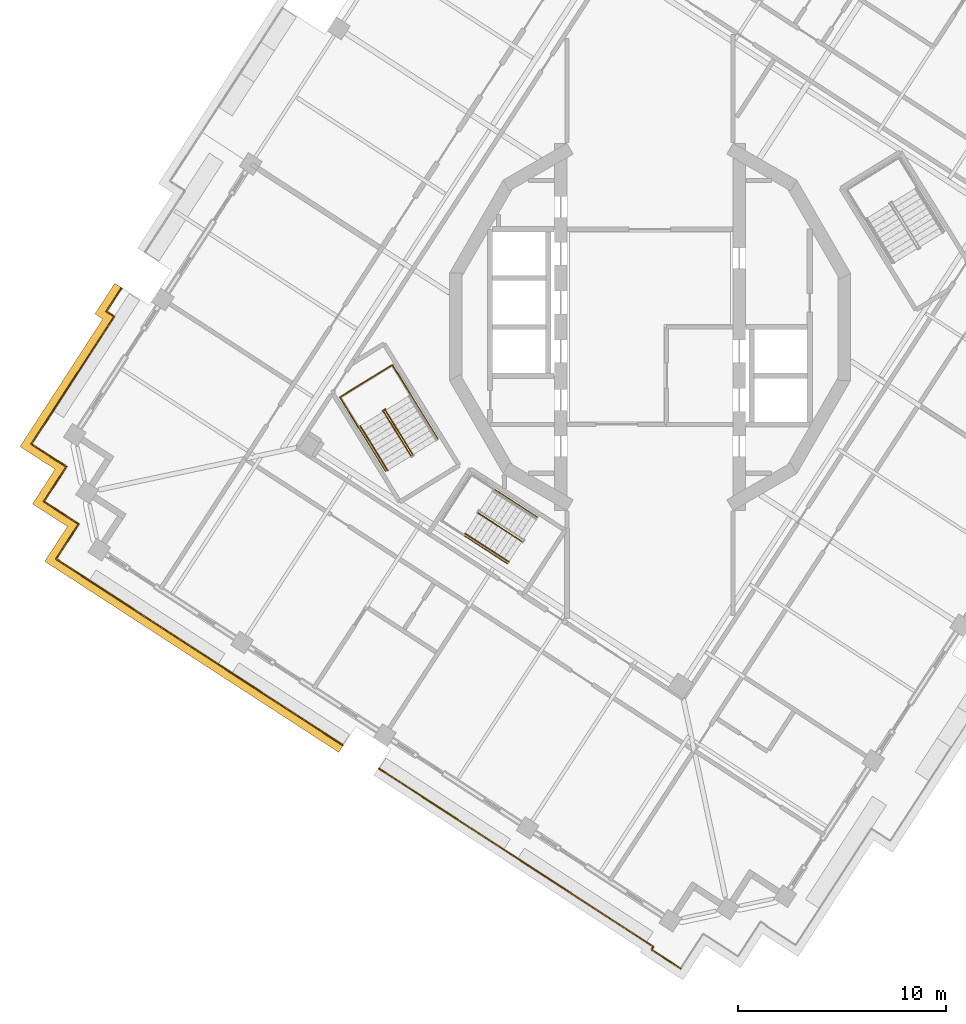
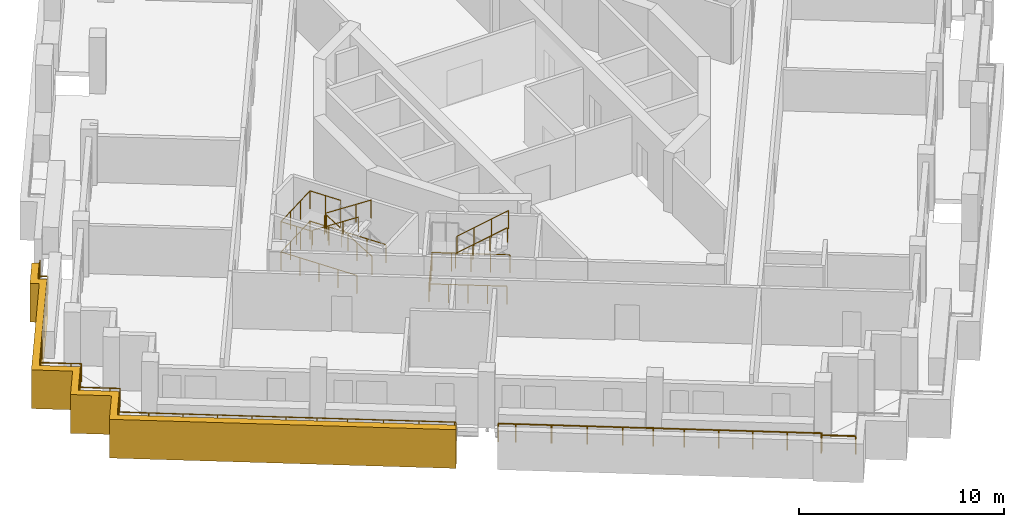
# One storey, part 11 of 15: 11 railings, 1 covering.
"""IFC4 building model written with IfcOpenShell, lengths in metres."""

from ifc_helpers import new_model, si_unit, direction, frame, origin, origin_2d, place, context, subcontext, project, spatial, polyline, circle, outline, extrude, material, type_object, element, save


model = new_model("IFC4")

# Units and contexts
model_context = context("Model", 3, precision=1e-05, world=origin(), true_north=direction((0.0, 1.0)))
body_context = subcontext(model_context, "Body", "Model", "MODEL_VIEW")
ifc_project = project(units=[si_unit("LENGTHUNIT", "METRE"), si_unit("AREAUNIT", "SQUARE_METRE"), si_unit("VOLUMEUNIT", "CUBIC_METRE"), si_unit("PLANEANGLEUNIT", "RADIAN"), si_unit("MASSUNIT", "GRAM", prefix="KILO")], contexts=[model_context])

# Site, building, storey
site_placement = place(None, origin())
site = spatial("IfcSite", under=ifc_project, at=site_placement, CompositionType="ELEMENT")
building_placement = place(site_placement, origin())
building = spatial("IfcBuilding", under=site, at=building_placement, Name="Cantera Rosa Tower", CompositionType="ELEMENT")
storey_placement = place(building_placement, frame((0.0, 0.0, 282.89990234375)))
storey = spatial("IfcBuildingStorey", under=building, at=storey_placement, Name="L64", CompositionType="ELEMENT", Elevation=282.89990234375)

# Railings
ifc_material_1 = material(Name="Stainless steel and laminated glass", Category="steel")
railing_type_1 = type_object("IfcRailingType", Name="GUARD 1100", PredefinedType="BALUSTRADE", material=ifc_material_1)
railing_1_placement = place(storey_placement, frame((-28.3720703125, -7.151123046875, 0.0)))
element("IfcRailing", 1, at=railing_1_placement, inside=storey, type_object=railing_type_1, Name="GUARD L64-1", PredefinedType="BALUSTRADE", context=body_context, shape_type="SweptSolid", body=[
    extrude(circle(Radius=0.030029296875, at=origin_2d()), frame((0.0, 0.0, 1.070068359375), z_axis=(0.544627753175, 0.83867789435, 0.0), x_axis=(-0.83867789435, 0.544627753175, 0.0)), (0.0, 0.0, 1.0), 0.499755859375),
    extrude(circle(Radius=0.030029296875, at=origin_2d()), frame((0.272216796875, 0.419189453125, 1.070068359375), z_axis=(-0.838454772945, 0.544971186143, 0.0), x_axis=(-0.544971186143, -0.838454772945, 0.0)), (0.0, 0.0, 1.0), 0.5),
    extrude(circle(Radius=0.030029296875, at=origin_2d()), frame((-0.14697265625, 0.691650390625, 1.070068359375), z_axis=(-0.549177886661, -0.835705479701, 0.0), x_axis=(0.835705479701, -0.549177886661, 0.0)), (0.0, 0.0, 1.0), 0.01025390625),
    extrude(circle(Radius=0.030029296875, at=origin_2d()), frame((-0.152587890625, 0.68310546875, 1.070068359375), z_axis=(-0.838631955589, 0.544698488216, 0.0), x_axis=(-0.544698488216, -0.838631955589, 0.0)), (0.0, 0.0, 1.0), 1.510009765625),
    extrude(circle(Radius=0.030029296875, at=origin_2d()), frame((-1.4189453125, 1.505615234375, 1.070068359375), z_axis=(0.544617010078, 0.838684870696, 0.0), x_axis=(-0.838684870696, 0.544617010078, 0.0)), (0.0, 0.0, 1.0), 7.32666015625),
    extrude(circle(Radius=0.030029296875, at=origin_2d()), frame((2.5712890625, 7.650390625, 1.070068359375), z_axis=(-0.838701967794, 0.544590680437, 0.0), x_axis=(-0.544590680437, -0.838701967794, 0.0)), (0.0, 0.0, 1.0), 0.453125),
    extrude(circle(Radius=0.030029296875, at=origin_2d()), frame((2.191162109375, 7.897216796875, 1.070068359375), z_axis=(0.544730886847, 0.838610911516, 0.0), x_axis=(-0.838610911516, 0.544730886847, 0.0)), (0.0, 0.0, 1.0), 1.333251953125),
    extrude(circle(Radius=0.02490234375, at=origin_2d()), origin(), (0.0, 0.0, 1.0), 1.0400390625),
    extrude(circle(Radius=0.02490234375, at=origin_2d()), frame((0.272216796875, 0.419189453125, 0.0)), (0.0, 0.0, 1.0), 1.0400390625),
    extrude(circle(Radius=0.02490234375, at=origin_2d()), frame((-0.14697265625, 0.691650390625, 0.0)), (0.0, 0.0, 1.0), 1.0400390625),
    extrude(circle(Radius=0.02490234375, at=origin_2d()), frame((-0.152587890625, 0.68310546875, 0.0)), (0.0, 0.0, 1.0), 1.0400390625),
    extrude(circle(Radius=0.02490234375, at=origin_2d()), frame((-1.4189453125, 1.505615234375, 0.0)), (0.0, 0.0, 1.0), 1.0400390625),
    extrude(circle(Radius=0.02490234375, at=origin_2d()), frame((-0.42138671875, 3.041748046875, 0.0)), (0.0, 0.0, 1.0), 1.0400390625),
    extrude(circle(Radius=0.02490234375, at=origin_2d()), frame((0.576171875, 4.578125, 0.0)), (0.0, 0.0, 1.0), 1.0400390625),
    extrude(circle(Radius=0.02490234375, at=origin_2d()), frame((1.57373046875, 6.1142578125, 0.0)), (0.0, 0.0, 1.0), 1.0400390625),
    extrude(circle(Radius=0.02490234375, at=origin_2d()), frame((2.5712890625, 7.650390625, 0.0)), (0.0, 0.0, 1.0), 1.0400390625),
    extrude(circle(Radius=0.02490234375, at=origin_2d()), frame((2.191162109375, 7.897216796875, 0.0)), (0.0, 0.0, 1.0), 1.0400390625),
    extrude(circle(Radius=0.02490234375, at=origin_2d()), frame((2.91748046875, 9.015380859375, 0.0)), (0.0, 0.0, 1.0), 1.0400390625),
])
railing_2_placement = place(storey_placement, frame((-14.7880859375, -20.14599609375, 0.0)))
element("IfcRailing", 2, at=railing_2_placement, inside=storey, type_object=railing_type_1, Name="GUARD L64-2", PredefinedType="BALUSTRADE", context=body_context, shape_type="SweptSolid", body=[
    extrude(circle(Radius=0.030029296875, at=origin_2d()), frame((0.0, 0.0, 1.070068359375), z_axis=(-0.838443616301, 0.544988350595, 0.0), x_axis=(-0.544988350595, -0.838443616301, 0.0)), (0.0, 0.0, 1.0), 0.06982421875),
    extrude(circle(Radius=0.030029296875, at=origin_2d()), frame((-0.05859375, 0.0380859375, 1.070068359375), z_axis=(-0.838657010828, 0.544659910576, 0.0), x_axis=(-0.544659910576, -0.838657010828, 0.0)), (0.0, 0.0, 1.0), 5.2001953125),
    extrude(circle(Radius=0.030029296875, at=origin_2d()), frame((-4.419677734375, 2.870361328125, 1.070068359375), z_axis=(-0.8387001057, 0.544593548161, 0.0), x_axis=(-0.544593548161, -0.8387001057, 0.0)), (0.0, 0.0, 1.0), 3.0),
    extrude(circle(Radius=0.030029296875, at=origin_2d()), frame((-6.935791015625, 4.504150390625, 1.070068359375), z_axis=(-0.838666659313, 0.544645053734, 0.0), x_axis=(-0.544645053734, -0.838666659313, 0.0)), (0.0, 0.0, 1.0), 6.7001953125),
    extrude(circle(Radius=0.030029296875, at=origin_2d()), frame((-12.554931640625, 8.1533203125, 1.070068359375), z_axis=(-0.838651824232, 0.544667896716, 0.0), x_axis=(-0.544667896716, -0.838651824232, 0.0)), (0.0, 0.0, 1.0), 1.499755859375),
    extrude(circle(Radius=0.030029296875, at=origin_2d()), frame((-13.812744140625, 8.97021484375, 1.070068359375), z_axis=(0.544593548161, 0.8387001057, 0.0), x_axis=(-0.8387001057, 0.544593548161, 0.0)), (0.0, 0.0, 1.0), 1.5),
    extrude(circle(Radius=0.030029296875, at=origin_2d()), frame((-12.995849609375, 10.228271484375, 1.070068359375), z_axis=(0.544627753175, 0.83867789435, 0.0), x_axis=(-0.83867789435, 0.544627753175, 0.0)), (0.0, 0.0, 1.0), 0.499755859375),
    extrude(circle(Radius=0.030029296875, at=origin_2d()), frame((-12.7236328125, 10.6474609375, 1.070068359375), z_axis=(-0.838454772945, 0.544971186143, 0.0), x_axis=(-0.544971186143, -0.838454772945, 0.0)), (0.0, 0.0, 1.0), 0.5),
    extrude(circle(Radius=0.030029296875, at=origin_2d()), frame((-13.142822265625, 10.919921875, 1.070068359375), z_axis=(-0.8387001057, 0.544593548161, 0.0), x_axis=(-0.544593548161, -0.8387001057, 0.0)), (0.0, 0.0, 1.0), 1.5),
    extrude(circle(Radius=0.030029296875, at=origin_2d()), frame((-14.40087890625, 11.73681640625, 1.070068359375), z_axis=(0.544593548161, 0.8387001057, 0.0), x_axis=(-0.8387001057, 0.544593548161, 0.0)), (0.0, 0.0, 1.0), 1.5),
    extrude(circle(Radius=0.02490234375, at=origin_2d()), origin(), (0.0, 0.0, 1.0), 1.0400390625),
    extrude(circle(Radius=0.02490234375, at=origin_2d()), frame((-0.05859375, 0.0380859375, 0.0)), (0.0, 0.0, 1.0), 1.0400390625),
    extrude(circle(Radius=0.02490234375, at=origin_2d()), frame((-1.51220703125, 0.982177734375, 0.0)), (0.0, 0.0, 1.0), 1.0400390625),
    extrude(circle(Radius=0.02490234375, at=origin_2d()), frame((-2.966064453125, 1.92626953125, 0.0)), (0.0, 0.0, 1.0), 1.0400390625),
    extrude(circle(Radius=0.02490234375, at=origin_2d()), frame((-4.419677734375, 2.870361328125, 0.0)), (0.0, 0.0, 1.0), 1.0400390625),
    extrude(circle(Radius=0.02490234375, at=origin_2d()), frame((-5.677734375, 3.687255859375, 0.0)), (0.0, 0.0, 1.0), 1.0400390625),
    extrude(circle(Radius=0.02490234375, at=origin_2d()), frame((-6.935791015625, 4.504150390625, 0.0)), (0.0, 0.0, 1.0), 1.0400390625),
    extrude(circle(Radius=0.02490234375, at=origin_2d()), frame((-8.340576171875, 5.41650390625, 0.0)), (0.0, 0.0, 1.0), 1.0400390625),
    extrude(circle(Radius=0.02490234375, at=origin_2d()), frame((-9.745361328125, 6.32861328125, 0.0)), (0.0, 0.0, 1.0), 1.0400390625),
    extrude(circle(Radius=0.02490234375, at=origin_2d()), frame((-11.150146484375, 7.240966796875, 0.0)), (0.0, 0.0, 1.0), 1.0400390625),
    extrude(circle(Radius=0.02490234375, at=origin_2d()), frame((-12.554931640625, 8.1533203125, 0.0)), (0.0, 0.0, 1.0), 1.0400390625),
    extrude(circle(Radius=0.02490234375, at=origin_2d()), frame((-13.812744140625, 8.97021484375, 0.0)), (0.0, 0.0, 1.0), 1.0400390625),
    extrude(circle(Radius=0.02490234375, at=origin_2d()), frame((-12.995849609375, 10.228271484375, 0.0)), (0.0, 0.0, 1.0), 1.0400390625),
    extrude(circle(Radius=0.02490234375, at=origin_2d()), frame((-12.7236328125, 10.6474609375, 0.0)), (0.0, 0.0, 1.0), 1.0400390625),
    extrude(circle(Radius=0.02490234375, at=origin_2d()), frame((-13.142822265625, 10.919921875, 0.0)), (0.0, 0.0, 1.0), 1.0400390625),
    extrude(circle(Radius=0.02490234375, at=origin_2d()), frame((-14.40087890625, 11.73681640625, 0.0)), (0.0, 0.0, 1.0), 1.0400390625),
    extrude(circle(Radius=0.02490234375, at=origin_2d()), frame((-13.583984375, 12.994873046875, 0.0)), (0.0, 0.0, 1.0), 1.0400390625),
])
railing_3_placement = place(storey_placement, frame((1.47265625, -30.90478515625, 0.0)))
element("IfcRailing", 3, at=railing_3_placement, inside=storey, type_object=railing_type_1, Name="GUARD L64-6", PredefinedType="BALUSTRADE", context=body_context, shape_type="SweptSolid", body=[
    extrude(circle(Radius=0.030029296875, at=origin_2d()), frame((0.0, 0.0, 1.070068359375), z_axis=(-0.838747978063, 0.544519815338, 0.0), x_axis=(-0.544519815338, -0.838747978063, 0.0)), (0.0, 0.0, 1.0), 1.6669921875),
    extrude(circle(Radius=0.030029296875, at=origin_2d()), frame((-1.398193359375, 0.90771484375, 1.070068359375), z_axis=(0.544885652698, 0.838510360988, 0.0), x_axis=(-0.838510360988, 0.544885652698, 0.0)), (0.0, 0.0, 1.0), 0.167236328125),
    extrude(circle(Radius=0.030029296875, at=origin_2d()), frame((-1.30712890625, 1.0478515625, 1.070068359375), z_axis=(-0.838666659313, 0.544645053734, 0.0), x_axis=(-0.544645053734, -0.838666659313, 0.0)), (0.0, 0.0, 1.0), 6.7001953125),
    extrude(circle(Radius=0.030029296875, at=origin_2d()), frame((-6.92626953125, 4.697021484375, 1.070068359375), z_axis=(-0.8387001057, 0.544593548161, 0.0), x_axis=(-0.544593548161, -0.8387001057, 0.0)), (0.0, 0.0, 1.0), 3.0),
    extrude(circle(Radius=0.030029296875, at=origin_2d()), frame((-9.4423828125, 6.330810546875, 1.070068359375), z_axis=(-0.838657010828, 0.544659910576, 0.0), x_axis=(-0.544659910576, -0.838657010828, 0.0)), (0.0, 0.0, 1.0), 5.2001953125),
    extrude(circle(Radius=0.030029296875, at=origin_2d()), frame((-13.803466796875, 9.1630859375, 1.070068359375), z_axis=(-0.838725681888, 0.544554157584, 0.0), x_axis=(-0.544554157584, -0.838725681888, 0.0)), (0.0, 0.0, 1.0), 0.869873046875),
    extrude(circle(Radius=0.02490234375, at=origin_2d()), origin(), (0.0, 0.0, 1.0), 1.0400390625),
    extrude(circle(Radius=0.02490234375, at=origin_2d()), frame((-1.398193359375, 0.90771484375, 0.0)), (0.0, 0.0, 1.0), 1.0400390625),
    extrude(circle(Radius=0.02490234375, at=origin_2d()), frame((-1.30712890625, 1.0478515625, 0.0)), (0.0, 0.0, 1.0), 1.0400390625),
    extrude(circle(Radius=0.02490234375, at=origin_2d()), frame((-2.7119140625, 1.960205078125, 0.0)), (0.0, 0.0, 1.0), 1.0400390625),
    extrude(circle(Radius=0.02490234375, at=origin_2d()), frame((-4.11669921875, 2.87255859375, 0.0)), (0.0, 0.0, 1.0), 1.0400390625),
    extrude(circle(Radius=0.02490234375, at=origin_2d()), frame((-5.521484375, 3.78466796875, 0.0)), (0.0, 0.0, 1.0), 1.0400390625),
    extrude(circle(Radius=0.02490234375, at=origin_2d()), frame((-6.92626953125, 4.697021484375, 0.0)), (0.0, 0.0, 1.0), 1.0400390625),
    extrude(circle(Radius=0.02490234375, at=origin_2d()), frame((-8.184326171875, 5.513916015625, 0.0)), (0.0, 0.0, 1.0), 1.0400390625),
    extrude(circle(Radius=0.02490234375, at=origin_2d()), frame((-9.4423828125, 6.330810546875, 0.0)), (0.0, 0.0, 1.0), 1.0400390625),
    extrude(circle(Radius=0.02490234375, at=origin_2d()), frame((-10.89599609375, 7.27490234375, 0.0)), (0.0, 0.0, 1.0), 1.0400390625),
    extrude(circle(Radius=0.02490234375, at=origin_2d()), frame((-12.349853515625, 8.218994140625, 0.0)), (0.0, 0.0, 1.0), 1.0400390625),
    extrude(circle(Radius=0.02490234375, at=origin_2d()), frame((-13.803466796875, 9.1630859375, 0.0)), (0.0, 0.0, 1.0), 1.0400390625),
    extrude(circle(Radius=0.02490234375, at=origin_2d()), frame((-14.532958984375, 9.63671875, 0.0)), (0.0, 0.0, 1.0), 1.0400390625),
])
ifc_material_2 = material(Name="Steel S355J2 (EN 10025-2)", Category="steel")
railing_type_2 = type_object("IfcRailingType", Name="STAIR GUARD 1100", PredefinedType="GUARDRAIL", material=ifc_material_2)
railing_4_placement = place(storey_placement, frame((-11.42333984375, -6.165771484375, 0.18017578125)))
element("IfcRailing", 4, at=railing_4_placement, inside=storey, type_object=railing_type_2, Name="L64 ST-52 stair guard 1", PredefinedType="GUARDRAIL", context=body_context, shape_type="SweptSolid", body=[
    extrude(circle(Radius=0.02392578125, at=origin_2d()), frame((0.0, 0.0, 1.076171875), z_axis=(-0.441628529057, 0.715945124149, 0.540728047664), x_axis=(-0.851102330005, -0.524999832248, 0.0)), (0.0, 0.0, 1.0), 2.99560546875),
    extrude(circle(Radius=0.02392578125, at=origin_2d()), frame((-1.322998046875, 2.144775390625, 2.69580078125), z_axis=(-0.073711968402, 0.997279572494, 0.0), x_axis=(-0.997279572494, -0.073711968402, 0.0)), (0.0, 0.0, 1.0), 0.056396484375),
    extrude(circle(Radius=0.02392578125, at=origin_2d()), frame((-1.3271484375, 2.200927734375, 2.69580078125), z_axis=(-0.851546489876, -0.524279100842, 0.0), x_axis=(0.524279100842, -0.851546489876, 0.0)), (0.0, 0.0, 1.0), 0.14990234375),
    extrude(circle(Radius=0.02099609375, at=origin_2d()), origin(), (0.0, 0.0, 1.0), 1.052001953125),
    extrude(circle(Radius=0.02099609375, at=origin_2d()), frame((-0.44091796875, 0.71484375, 0.5400390625)), (0.0, 0.0, 1.0), 1.052001953125),
    extrude(circle(Radius=0.02099609375, at=origin_2d()), frame((-0.882080078125, 1.429931640625, 1.079833984375)), (0.0, 0.0, 1.0), 1.052001953125),
    extrude(circle(Radius=0.02099609375, at=origin_2d()), frame((-1.322998046875, 2.144775390625, 1.619873046875)), (0.0, 0.0, 1.0), 1.052001953125),
    extrude(circle(Radius=0.02099609375, at=origin_2d()), frame((-1.3271484375, 2.200927734375, 1.619873046875)), (0.0, 0.0, 1.0), 1.052001953125),
    extrude(circle(Radius=0.02099609375, at=origin_2d()), frame((-1.454833984375, 2.122314453125, 1.619873046875)), (0.0, 0.0, 1.0), 1.052001953125),
])
railing_5_placement = place(storey_placement, frame((-12.82958984375, -4.072509765625, 1.97998046875)))
element("IfcRailing", 5, at=railing_5_placement, inside=storey, type_object=railing_type_2, Name="L64 ST-52 stair guard 2", PredefinedType="GUARDRAIL", context=body_context, shape_type="SweptSolid", body=[
    extrude(circle(Radius=0.02392578125, at=origin_2d()), frame((0.0, 0.0, 1.076171875), z_axis=(0.44154346381, -0.715939337315, 0.540805172729), x_axis=(0.851145618652, 0.524929648476, 0.0)), (0.0, 0.0, 1.0), 2.995849609375),
    extrude(circle(Radius=0.02099609375, at=origin_2d()), origin(), (0.0, 0.0, 1.0), 1.052001953125),
    extrude(circle(Radius=0.02099609375, at=origin_2d()), frame((0.44091796875, -0.71484375, 0.5400390625)), (0.0, 0.0, 1.0), 1.052001953125),
    extrude(circle(Radius=0.02099609375, at=origin_2d()), frame((0.8818359375, -1.429931640625, 1.080078125)), (0.0, 0.0, 1.0), 1.052001953125),
    extrude(circle(Radius=0.02099609375, at=origin_2d()), frame((1.32275390625, -2.144775390625, 1.6201171875)), (0.0, 0.0, 1.0), 1.052001953125),
])
railing_6_placement = place(storey_placement, frame((-10.20751953125, -5.40185546875, 0.0)))
element("IfcRailing", 6, at=railing_6_placement, inside=storey, type_object=railing_type_2, Name="L64 ST-52 stair guard 4", PredefinedType="GUARDRAIL", context=body_context, shape_type="SweptSolid", body=[
    extrude(circle(Radius=0.02392578125, at=origin_2d()), frame((0.0, 0.0, 1.076171875), z_axis=(-0.524976478809, 0.851116735059, 0.0), x_axis=(-0.851116735059, -0.524976478809, 0.0)), (0.0, 0.0, 1.0), 4.197998046875),
    extrude(circle(Radius=0.02392578125, at=origin_2d()), frame((-2.203857421875, 3.572998046875, 1.076171875), z_axis=(-0.851132917336, -0.524950242429, 0.0), x_axis=(0.524950242429, -0.851132917336, 0.0)), (0.0, 0.0, 1.0), 2.969970703125),
    extrude(circle(Radius=0.02392578125, at=origin_2d()), frame((-4.731689453125, 2.013916015625, 1.076171875), z_axis=(0.524976478809, -0.851116735059, 0.0), x_axis=(0.851116735059, 0.524976478809, 0.0)), (0.0, 0.0, 1.0), 4.197998046875),
    extrude(circle(Radius=0.02099609375, at=origin_2d()), origin(), (0.0, 0.0, 1.0), 1.052001953125),
    extrude(circle(Radius=0.02099609375, at=origin_2d()), frame((-0.551025390625, 0.893310546875, 0.0)), (0.0, 0.0, 1.0), 1.052001953125),
    extrude(circle(Radius=0.02099609375, at=origin_2d()), frame((-1.10205078125, 1.78662109375, 0.0)), (0.0, 0.0, 1.0), 1.052001953125),
    extrude(circle(Radius=0.02099609375, at=origin_2d()), frame((-1.65283203125, 2.6796875, 0.0)), (0.0, 0.0, 1.0), 1.052001953125),
    extrude(circle(Radius=0.02099609375, at=origin_2d()), frame((-2.203857421875, 3.572998046875, 0.0)), (0.0, 0.0, 1.0), 1.052001953125),
    extrude(circle(Radius=0.02099609375, at=origin_2d()), frame((-3.04638671875, 3.05322265625, 0.0)), (0.0, 0.0, 1.0), 1.052001953125),
    extrude(circle(Radius=0.02099609375, at=origin_2d()), frame((-3.88916015625, 2.53369140625, 0.0)), (0.0, 0.0, 1.0), 1.052001953125),
    extrude(circle(Radius=0.02099609375, at=origin_2d()), frame((-4.731689453125, 2.013916015625, 0.0)), (0.0, 0.0, 1.0), 1.052001953125),
    extrude(circle(Radius=0.02099609375, at=origin_2d()), frame((-4.1806640625, 1.12060546875, 0.0)), (0.0, 0.0, 1.0), 1.052001953125),
    extrude(circle(Radius=0.02099609375, at=origin_2d()), frame((-3.6298828125, 0.2275390625, 0.0)), (0.0, 0.0, 1.0), 1.052001953125),
    extrude(circle(Radius=0.02099609375, at=origin_2d()), frame((-3.078857421875, -0.665771484375, 0.0)), (0.0, 0.0, 1.0), 1.052001953125),
    extrude(circle(Radius=0.02099609375, at=origin_2d()), frame((-2.52783203125, -1.55908203125, 0.0)), (0.0, 0.0, 1.0), 1.052001953125),
])
railing_7_placement = place(storey_placement, frame((-11.517822265625, -3.27734375, 1.800048828125)))
element("IfcRailing", 7, at=railing_7_placement, inside=storey, type_object=railing_type_2, Name="L64 ST-52 stair guard 5", PredefinedType="GUARDRAIL", context=body_context, shape_type="SweptSolid", body=[
    extrude(circle(Radius=0.02392578125, at=origin_2d()), frame((0.0, 0.0, 1.076171875), z_axis=(-0.525025534833, 0.851086474909, 0.0), x_axis=(-0.851086474909, -0.525025534833, 0.0)), (0.0, 0.0, 1.0), 1.701904296875),
    extrude(circle(Radius=0.02392578125, at=origin_2d()), frame((-0.8935546875, 1.448486328125, 1.076171875), z_axis=(-0.851132917336, -0.524950242429, 0.0), x_axis=(0.524950242429, -0.851132917336, 0.0)), (0.0, 0.0, 1.0), 2.969970703125),
    extrude(circle(Radius=0.02392578125, at=origin_2d()), frame((-3.42138671875, -0.110595703125, 1.076171875), z_axis=(0.524961441845, -0.851126009811, 0.0), x_axis=(0.851126009811, 0.524961441845, 0.0)), (0.0, 0.0, 1.0), 1.7021484375),
    extrude(circle(Radius=0.02099609375, at=origin_2d()), origin(), (0.0, 0.0, 1.0), 1.052001953125),
    extrude(circle(Radius=0.02099609375, at=origin_2d()), frame((-0.44677734375, 0.72412109375, 0.0)), (0.0, 0.0, 1.0), 1.052001953125),
    extrude(circle(Radius=0.02099609375, at=origin_2d()), frame((-0.8935546875, 1.448486328125, 0.0)), (0.0, 0.0, 1.0), 1.052001953125),
    extrude(circle(Radius=0.02099609375, at=origin_2d()), frame((-1.736083984375, 0.9287109375, 0.0)), (0.0, 0.0, 1.0), 1.052001953125),
    extrude(circle(Radius=0.02099609375, at=origin_2d()), frame((-2.578857421875, 0.4091796875, 0.0)), (0.0, 0.0, 1.0), 1.052001953125),
    extrude(circle(Radius=0.02099609375, at=origin_2d()), frame((-3.42138671875, -0.110595703125, 0.0)), (0.0, 0.0, 1.0), 1.052001953125),
    extrude(circle(Radius=0.02099609375, at=origin_2d()), frame((-2.974609375, -0.8349609375, 0.0)), (0.0, 0.0, 1.0), 1.052001953125),
    extrude(circle(Radius=0.02099609375, at=origin_2d()), frame((-2.52783203125, -1.559326171875, 0.0)), (0.0, 0.0, 1.0), 1.052001953125),
])
railing_8_placement = place(storey_placement, frame((-8.270751953125, -8.963134765625, 1.97998046875)))
element("IfcRailing", 8, at=railing_8_placement, inside=storey, type_object=railing_type_2, Name="L64 ST-53 stair guard 2", PredefinedType="GUARDRAIL", context=body_context, shape_type="SweptSolid", body=[
    extrude(circle(Radius=0.02392578125, at=origin_2d()), frame((0.0, 0.0, 1.076171875), z_axis=(0.705447416084, -0.4581007308, 0.540821286175), x_axis=(0.54462048956, 0.838682611213, 0.0)), (0.0, 0.0, 1.0), 2.99560546875),
    extrude(circle(Radius=0.02099609375, at=origin_2d()), origin(), (0.0, 0.0, 1.0), 1.052001953125),
    extrude(circle(Radius=0.02099609375, at=origin_2d()), frame((0.704345703125, -0.45751953125, 0.5400390625)), (0.0, 0.0, 1.0), 1.052001953125),
    extrude(circle(Radius=0.02099609375, at=origin_2d()), frame((1.408935546875, -0.914794921875, 1.080078125)), (0.0, 0.0, 1.0), 1.052001953125),
    extrude(circle(Radius=0.02099609375, at=origin_2d()), frame((2.11328125, -1.372314453125, 1.6201171875)), (0.0, 0.0, 1.0), 1.052001953125),
])
railing_9_placement = place(storey_placement, frame((-5.41357421875, -9.168212890625, 0.0)))
element("IfcRailing", 9, at=railing_9_placement, inside=storey, type_object=railing_type_2, Name="L64 ST-53 stair guard 4", PredefinedType="GUARDRAIL", context=body_context, shape_type="SweptSolid", body=[
    extrude(circle(Radius=0.02392578125, at=origin_2d()), frame((0.0, 0.0, 1.076171875), z_axis=(-0.838665308336, 0.544647134018, 0.0), x_axis=(-0.544647134018, -0.838665308336, 0.0)), (0.0, 0.0, 1.0), 3.798095703125),
    extrude(circle(Radius=0.02392578125, at=origin_2d()), frame((-3.185302734375, 2.068603515625, 1.076171875), z_axis=(-0.544679779991, -0.838644106442, 0.0), x_axis=(0.838644106442, -0.544679779991, 0.0)), (0.0, 0.0, 1.0), 2.670166015625),
    extrude(circle(Radius=0.02392578125, at=origin_2d()), frame((-4.6396484375, -0.170654296875, 1.076171875), z_axis=(0.838665308336, -0.544647134018, 0.0), x_axis=(0.544647134018, 0.838665308336, 0.0)), (0.0, 0.0, 1.0), 3.798095703125),
    extrude(circle(Radius=0.02099609375, at=origin_2d()), origin(), (0.0, 0.0, 1.0), 1.052001953125),
    extrude(circle(Radius=0.02099609375, at=origin_2d()), frame((-0.79638671875, 0.51708984375, 0.0)), (0.0, 0.0, 1.0), 1.052001953125),
    extrude(circle(Radius=0.02099609375, at=origin_2d()), frame((-1.5927734375, 1.0341796875, 0.0)), (0.0, 0.0, 1.0), 1.052001953125),
    extrude(circle(Radius=0.02099609375, at=origin_2d()), frame((-2.388916015625, 1.551513671875, 0.0)), (0.0, 0.0, 1.0), 1.052001953125),
    extrude(circle(Radius=0.02099609375, at=origin_2d()), frame((-3.185302734375, 2.068603515625, 0.0)), (0.0, 0.0, 1.0), 1.052001953125),
    extrude(circle(Radius=0.02099609375, at=origin_2d()), frame((-3.670166015625, 1.322265625, 0.0)), (0.0, 0.0, 1.0), 1.052001953125),
    extrude(circle(Radius=0.02099609375, at=origin_2d()), frame((-4.15478515625, 0.57568359375, 0.0)), (0.0, 0.0, 1.0), 1.052001953125),
    extrude(circle(Radius=0.02099609375, at=origin_2d()), frame((-4.6396484375, -0.170654296875, 0.0)), (0.0, 0.0, 1.0), 1.052001953125),
    extrude(circle(Radius=0.02099609375, at=origin_2d()), frame((-3.84326171875, -0.687744140625, 0.0)), (0.0, 0.0, 1.0), 1.052001953125),
    extrude(circle(Radius=0.02099609375, at=origin_2d()), frame((-3.046875, -1.205078125, 0.0)), (0.0, 0.0, 1.0), 1.052001953125),
    extrude(circle(Radius=0.02099609375, at=origin_2d()), frame((-2.250732421875, -1.72216796875, 0.0)), (0.0, 0.0, 1.0), 1.052001953125),
    extrude(circle(Radius=0.02099609375, at=origin_2d()), frame((-1.454345703125, -2.2392578125, 0.0)), (0.0, 0.0, 1.0), 1.052001953125),
])
ifc_material_3 = material(Name="Steel S355J2 (EN 10025-2)", Category="steel")
railing_type_3 = type_object("IfcRailingType", Name="STAIR HANDRAIL 900", PredefinedType="HANDRAIL", material=ifc_material_3)
railing_10_placement = place(storey_placement, frame((-13.958251953125, -4.7685546875, 1.97998046875)))
element("IfcRailing", 10, at=railing_10_placement, inside=storey, type_object=railing_type_3, Name="L64 ST-52 stair handrail 2", PredefinedType="HANDRAIL", context=body_context, shape_type="SweptSolid", body=[
    extrude(circle(Radius=0.02392578125, at=origin_2d()), frame((0.0, 0.0, 0.8759765625), z_axis=(0.441609067481, -0.715913574058, 0.540785711718), x_axis=(0.851102330005, 0.524999832248, 0.0)), (0.0, 0.0, 1.0), 2.995849609375),
    extrude(circle(Radius=0.02099609375, at=origin_2d()), origin(), (0.0, 0.0, 1.0), 0.851806640625),
    extrude(circle(Radius=0.02099609375, at=origin_2d()), frame((0.44091796875, -0.71484375, 0.5400390625)), (0.0, 0.0, 1.0), 0.851806640625),
    extrude(circle(Radius=0.02099609375, at=origin_2d()), frame((0.882080078125, -1.429931640625, 1.080078125)), (0.0, 0.0, 1.0), 0.851806640625),
    extrude(circle(Radius=0.02099609375, at=origin_2d()), frame((1.322998046875, -2.144775390625, 1.6201171875)), (0.0, 0.0, 1.0), 0.851806640625),
])
railing_11_placement = place(storey_placement, frame((-8.911376953125, -9.94921875, 1.97998046875)))
element("IfcRailing", 11, at=railing_11_placement, inside=storey, type_object=railing_type_3, Name="L64 ST-53 stair handrail 2", PredefinedType="HANDRAIL", context=body_context, shape_type="SweptSolid", body=[
    extrude(circle(Radius=0.02392578125, at=origin_2d()), frame((0.0, 0.0, 0.8759765625), z_axis=(0.705462015847, -0.458138784, 0.540770005448), x_axis=(0.544644381691, 0.838667095749, 0.0)), (0.0, 0.0, 1.0), 2.995849609375),
    extrude(circle(Radius=0.02099609375, at=origin_2d()), origin(), (0.0, 0.0, 1.0), 0.851806640625),
    extrude(circle(Radius=0.02099609375, at=origin_2d()), frame((0.70458984375, -0.45751953125, 0.5400390625)), (0.0, 0.0, 1.0), 0.851806640625),
    extrude(circle(Radius=0.02099609375, at=origin_2d()), frame((1.408935546875, -0.9150390625, 1.080078125)), (0.0, 0.0, 1.0), 0.851806640625),
    extrude(circle(Radius=0.02099609375, at=origin_2d()), frame((2.113525390625, -1.37255859375, 1.6201171875)), (0.0, 0.0, 1.0), 0.851806640625),
])

# Covering
ifc_material_4 = material(Name="Cantera stone", Category="masonry")
covering_type = type_object("IfcCoveringType", Name="TRAY FASCIA 400", PredefinedType="CLADDING", material=ifc_material_4)
covering_placement = place(storey_placement, frame((0.0, 0.0, -1.39990234375)))
element("IfcCovering", 12, at=covering_placement, inside=storey, type_object=covering_type, Name="TRAY FASCIA L64-01", PredefinedType="CLADDING", context=body_context, shape_type="SweptSolid", body=[
    extrude(outline(polyline([(-26.35400390625, 0.381591796875), (-26.734130859375, 0.62841796875), (-25.779052734375, 2.098876953125), (-25.443603515625, 1.881103515625), (-26.180908203125, 0.74609375), (-25.80078125, 0.499267578125), (-29.791015625, -5.6455078125), (-28.524658203125, -6.468017578125), (-28.51904296875, -6.45947265625), (-28.099853515625, -6.73193359375), (-28.3720703125, -7.151123046875), (-29.18896484375, -8.4091796875), (-27.930908203125, -9.22607421875), (-27.51171875, -9.49853515625), (-27.783935546875, -9.917724609375), (-28.600830078125, -11.17578125), (-27.343017578125, -11.99267578125), (-21.723876953125, -15.641845703125), (-19.207763671875, -17.275634765625), (-14.8466796875, -20.10791015625), (-14.771240234375, -20.156982421875), (-14.989013671875, -20.492431640625), (-15.064697265625, -20.443359375), (-19.42578125, -17.611328125), (-21.941650390625, -15.977294921875), (-27.560791015625, -12.328125), (-29.154296875, -11.29345703125), (-28.119384765625, -9.699951171875), (-28.06494140625, -9.615966796875), (-28.14892578125, -9.5615234375), (-29.742431640625, -8.52685546875), (-28.70751953125, -6.933349609375), (-28.65869140625, -6.85791015625), (-30.344482421875, -5.76318359375), (-26.35400390625, 0.381591796875)])), origin(), (0.0, 0.0, 1.0), 2.300048828125),
])

save(model, "model.ifc")
